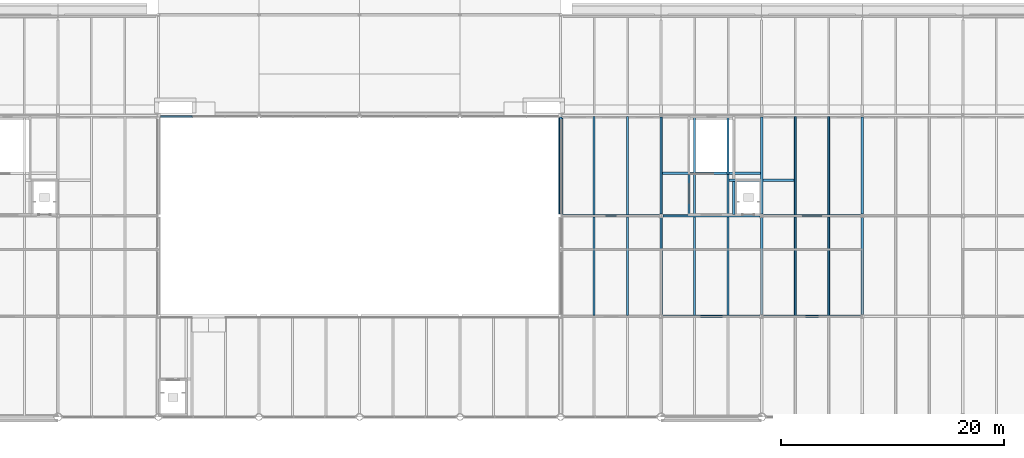
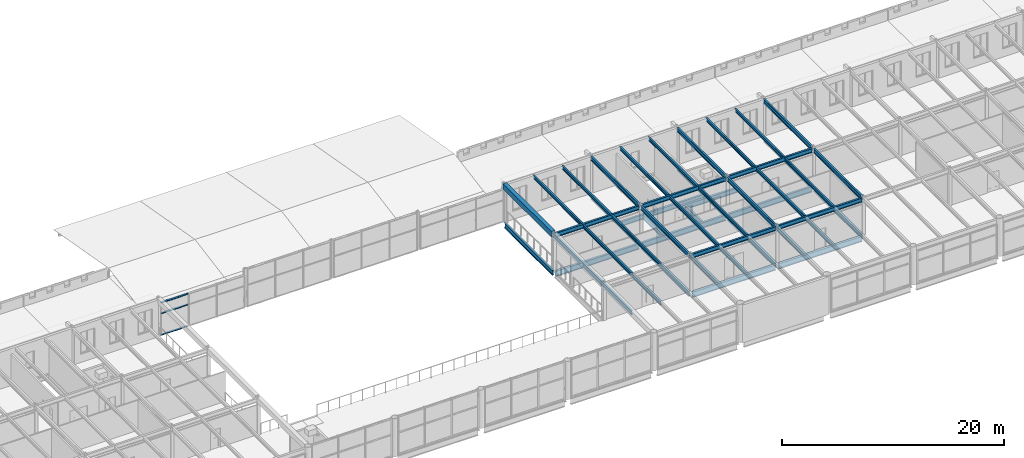
# One storey, part 43 of 123: 53 beams, 3 members, 1 element without a shape of its own.
"""IFC4 building model written with IfcOpenShell, lengths in metres."""

from ifc_helpers import new_model, si_unit, direction, frame, origin, origin_2d, place, context, subcontext, project, spatial, rectangle, hollow_rectangle, i_section, extrude, material, material_profile, profile_set, type_object, element, aggregate, save


model = new_model("IFC4")

# Units and contexts
model_context = context("Model", 3, precision=1e-05, world=origin(), true_north=direction((0.0, 1.0)))
body_context = subcontext(model_context, "Body", "Model", "MODEL_VIEW")
ifc_project = project(units=[si_unit("LENGTHUNIT", "METRE"), si_unit("AREAUNIT", "SQUARE_METRE"), si_unit("VOLUMEUNIT", "CUBIC_METRE"), si_unit("PLANEANGLEUNIT", "RADIAN"), si_unit("MASSUNIT", "GRAM", prefix="KILO")], contexts=[model_context])

# Site, building, storey
site_placement = place(None, origin())
site = spatial("IfcSite", under=ifc_project, at=site_placement, CompositionType="ELEMENT")
building_placement = place(site_placement, origin())
building = spatial("IfcBuilding", under=site, at=building_placement, Name="Baradari Gate Terminus", CompositionType="ELEMENT")
storey_placement = place(building_placement, frame((0.0, 0.0, 7.5)))
storey = spatial("IfcBuildingStorey", under=building, at=storey_placement, Name="L01", CompositionType="ELEMENT", Elevation=7.5)

# Curtain wall, members
ifc_material_1 = material(Name="Aluminium 6063-T6", Category="aluminium")
curtain_wall_type = type_object("IfcCurtainWallType", Name="Curtain wall CW-4 ticket hall clerestory", PredefinedType="NOTDEFINED", material=ifc_material_1)
curtain_wall_placement = place(storey_placement, origin())
curtain_wall = element("IfcCurtainWall", 1, at=curtain_wall_placement, inside=storey, type_object=curtain_wall_type, Name="Glazed curtain wall CW-4 HN bay 16 L01", PredefinedType="NOTDEFINED")
ifc_material_2 = material(Name="Aluminium 6063-T6", Category="aluminium")
ifc_material_profile_1 = material_profile(ifc_material_2, rectangle(XDim=0.135009765625, YDim=0.06494140625, at=origin_2d()), Name="CT-4 65X135")
ifc_profile_set_1 = profile_set([ifc_material_profile_1], Name="Aluminium 6063-T6")
member_type = type_object("IfcMemberType", Name="Curtain wall transom CT-4 65x135", PredefinedType="USERDEFINED", material=ifc_profile_set_1)
member_1_placement = place(storey_placement, frame((135.193115234375, 107.87841796875, 0.032470703125), z_axis=(1.0, 0.0, 0.0), x_axis=(0.0, 1.0, 0.0)))
member_1 = element("IfcMember", 2, at=member_1_placement, type_object=member_type, Name="CW-4 transom 1.1", ObjectType="TRANSOM", PredefinedType="USERDEFINED", context=body_context, shape_type="SweptSolid", body=[
    extrude(rectangle(XDim=0.135009765625, YDim=0.06494140625, at=origin_2d()), origin(), (0.0, 0.0, 1.0), 2.817138671875),
])
member_2_placement = place(storey_placement, frame((135.193115234375, 107.87841796875, 2.39990234375), z_axis=(1.0, 0.0, 0.0), x_axis=(0.0, 1.0, 0.0)))
member_2 = element("IfcMember", 3, at=member_2_placement, type_object=member_type, Name="CW-4 transom 1.2", ObjectType="TRANSOM", PredefinedType="USERDEFINED", context=body_context, shape_type="SweptSolid", body=[
    extrude(rectangle(XDim=0.135009765625, YDim=0.06494140625, at=origin_2d()), origin(), (0.0, 0.0, 1.0), 2.817138671875),
])
member_3_placement = place(storey_placement, frame((135.193115234375, 107.87841796875, 3.5673828125), z_axis=(1.0, 0.0, 0.0), x_axis=(0.0, 1.0, 0.0)))
member_3 = element("IfcMember", 4, at=member_3_placement, type_object=member_type, Name="CW-4 transom 1.3", ObjectType="TRANSOM", PredefinedType="USERDEFINED", context=body_context, shape_type="SweptSolid", body=[
    extrude(rectangle(XDim=0.135009765625, YDim=0.06494140625, at=origin_2d()), origin(), (0.0, 0.0, 1.0), 2.817138671875),
])
aggregate(curtain_wall, [member_1, member_2, member_3])

# Beams
ifc_material_3 = material(Name="Steel S355", Category="steel")
ifc_material_profile_2 = material_profile(ifc_material_3, i_section(OverallWidth=0.210693359375, OverallDepth=0.53955078125, WebThickness=0.01171875, FlangeThickness=0.018798828125, FilletRadius=0.0126953125, at=origin_2d()), Name="UB 533x210x109")
ifc_profile_set_2 = profile_set([ifc_material_profile_2], Name="Steel S355")
beam_type_1 = type_object("IfcBeamType", Name="Head-house cross girder B12 UB 533x210x109", PredefinedType="BEAM", material=ifc_profile_set_2)
beam_1_placement = place(storey_placement, frame((171.0, 99.1572265625, -0.399658203125), z_axis=(0.0, 1.0, 0.0), x_axis=(-1.0, 0.0, 0.0)))
element("IfcBeam", 5, at=beam_1_placement, inside=storey, type_object=beam_type_1, Name="Head-house cross girder B12 20:99.157-107.87 L01", PredefinedType="BEAM", context=body_context, shape_type="SweptSolid", body=[
    extrude(i_section(OverallWidth=0.210693359375, OverallDepth=0.53955078125, WebThickness=0.01171875, FlangeThickness=0.018798828125, FilletRadius=0.0126953125, at=origin_2d()), origin(), (0.0, 0.0, 1.0), 8.712646484375),
])
beam_2_placement = place(storey_placement, frame((180.0, 90.1572265625, -0.399658203125), z_axis=(0.0, 1.0, 0.0), x_axis=(-1.0, 0.0, 0.0)))
element("IfcBeam", 6, at=beam_2_placement, inside=storey, type_object=beam_type_1, Name="Head-house cross girder B12 21:90.157-98.843 L01", PredefinedType="BEAM", context=body_context, shape_type="SweptSolid", body=[
    extrude(i_section(OverallWidth=0.210693359375, OverallDepth=0.53955078125, WebThickness=0.01171875, FlangeThickness=0.018798828125, FilletRadius=0.0126953125, at=origin_2d()), origin(), (0.0, 0.0, 1.0), 8.685546875),
])
beam_3_placement = place(storey_placement, frame((180.0, 99.1572265625, -0.399658203125), z_axis=(0.0, 1.0, 0.0), x_axis=(-1.0, 0.0, 0.0)))
element("IfcBeam", 7, at=beam_3_placement, inside=storey, type_object=beam_type_1, Name="Head-house cross girder B12 21:99.157-107.87 L01", PredefinedType="BEAM", context=body_context, shape_type="SweptSolid", body=[
    extrude(i_section(OverallWidth=0.210693359375, OverallDepth=0.53955078125, WebThickness=0.01171875, FlangeThickness=0.018798828125, FilletRadius=0.0126953125, at=origin_2d()), origin(), (0.0, 0.0, 1.0), 8.712646484375),
])
beam_4_placement = place(storey_placement, frame((189.0, 90.1572265625, -0.399658203125), z_axis=(0.0, 1.0, 0.0), x_axis=(-1.0, 0.0, 0.0)))
element("IfcBeam", 8, at=beam_4_placement, inside=storey, type_object=beam_type_1, Name="Head-house cross girder B12 22:90.157-98.843 L01", PredefinedType="BEAM", context=body_context, shape_type="SweptSolid", body=[
    extrude(i_section(OverallWidth=0.210693359375, OverallDepth=0.53955078125, WebThickness=0.01171875, FlangeThickness=0.018798828125, FilletRadius=0.0126953125, at=origin_2d()), origin(), (0.0, 0.0, 1.0), 8.685546875),
])
beam_5_placement = place(storey_placement, frame((189.0, 99.1572265625, -0.399658203125), z_axis=(0.0, 1.0, 0.0), x_axis=(-1.0, 0.0, 0.0)))
element("IfcBeam", 9, at=beam_5_placement, inside=storey, type_object=beam_type_1, Name="Head-house cross girder B12 22:99.157-107.87 L01", PredefinedType="BEAM", context=body_context, shape_type="SweptSolid", body=[
    extrude(i_section(OverallWidth=0.210693359375, OverallDepth=0.53955078125, WebThickness=0.01171875, FlangeThickness=0.018798828125, FilletRadius=0.0126953125, at=origin_2d()), origin(), (0.0, 0.0, 1.0), 8.712646484375),
])
beam_6_placement = place(storey_placement, frame((198.0, 90.1572265625, -0.399658203125), z_axis=(0.0, 1.0, 0.0), x_axis=(-1.0, 0.0, 0.0)))
element("IfcBeam", 10, at=beam_6_placement, inside=storey, type_object=beam_type_1, Name="Head-house cross girder B12 23:90.157-98.843 L01", PredefinedType="BEAM", context=body_context, shape_type="SweptSolid", body=[
    extrude(i_section(OverallWidth=0.210693359375, OverallDepth=0.53955078125, WebThickness=0.01171875, FlangeThickness=0.018798828125, FilletRadius=0.0126953125, at=origin_2d()), origin(), (0.0, 0.0, 1.0), 8.685546875),
])
beam_7_placement = place(storey_placement, frame((198.0, 99.1572265625, -0.399658203125), z_axis=(0.0, 1.0, 0.0), x_axis=(-1.0, 0.0, 0.0)))
element("IfcBeam", 11, at=beam_7_placement, inside=storey, type_object=beam_type_1, Name="Head-house cross girder B12 23:99.157-107.87 L01", PredefinedType="BEAM", context=body_context, shape_type="SweptSolid", body=[
    extrude(i_section(OverallWidth=0.210693359375, OverallDepth=0.53955078125, WebThickness=0.01171875, FlangeThickness=0.018798828125, FilletRadius=0.0126953125, at=origin_2d()), origin(), (0.0, 0.0, 1.0), 8.712646484375),
])
ifc_material_4 = material(Name="Steel S355", Category="steel")
ifc_material_profile_3 = material_profile(ifc_material_4, i_section(OverallWidth=0.22900390625, OverallDepth=0.6123046875, WebThickness=0.011962890625, FlangeThickness=0.01953125, FilletRadius=0.0126953125, at=origin_2d()), Name="UB 610x229x125")
ifc_profile_set_3 = profile_set([ifc_material_profile_3], Name="Steel S355")
beam_type_2 = type_object("IfcBeamType", Name="Head-house girder B09 UB 610x229x125", PredefinedType="BEAM", material=ifc_profile_set_3)
for number, where, z_axis, x_axis, name in (
    (12, (180.15380859375, 90.0, -0.43603515625), (1.0, 0.0, 0.0), (0.0, 1.0, 0.0), "Head-house girder B09 L:180.154-188.846 L01"),
    (13, (189.15380859375, 90.0, -0.43603515625), (1.0, 0.0, 0.0), (0.0, 1.0, 0.0), "Head-house girder B09 L:189.154-197.846 L01"),
    (14, (171.15380859375, 99.0, -0.43603515625), (1.0, 0.0, 0.0), (0.0, 1.0, 0.0), "Head-house girder B09 M:171.154-179.846 L01"),
    (15, (180.15380859375, 99.0, -0.43603515625), (1.0, 0.0, 0.0), (0.0, 1.0, 0.0), "Head-house girder B09 M:180.154-188.846 L01"),
    (16, (189.15380859375, 99.0, -0.43603515625), (1.0, 0.0, 0.0), (0.0, 1.0, 0.0), "Head-house girder B09 M:189.154-197.846 L01"),
):
    element("IfcBeam", number, at=place(storey_placement, frame(where, z_axis=z_axis, x_axis=x_axis)), inside=storey, type_object=beam_type_2, Name=name, PredefinedType="BEAM", context=body_context, shape_type="SweptSolid", body=[
        extrude(i_section(OverallWidth=0.22900390625, OverallDepth=0.6123046875, WebThickness=0.011962890625, FlangeThickness=0.01953125, FilletRadius=0.0126953125, at=origin_2d()), origin(), (0.0, 0.0, 1.0), 8.6923828125),
    ])
ifc_material_5 = material(Name="Steel S355", Category="steel")
ifc_material_profile_4 = material_profile(ifc_material_5, i_section(OverallWidth=0.1904296875, OverallDepth=0.45703125, WebThickness=0.009033203125, FlangeThickness=0.014404296875, FilletRadius=0.01025390625, at=origin_2d()), Name="UB 457x191x74")
ifc_profile_set_4 = profile_set([ifc_material_profile_4], Name="Steel S355")
beam_type_3 = type_object("IfcBeamType", Name="Head-house roof cross girder B51 UB 457x191x74", PredefinedType="BEAM", material=ifc_profile_set_4)
beam_8_placement = place(storey_placement, frame((180.0, 90.1572265625, 3.821533203125), z_axis=(0.0, 1.0, 0.0), x_axis=(-1.0, 0.0, 0.0)))
element("IfcBeam", 17, at=beam_8_placement, inside=storey, type_object=beam_type_3, Name="Head-house roof cross girder B51 21:90.157-98.843 L01", PredefinedType="BEAM", context=body_context, shape_type="SweptSolid", body=[
    extrude(i_section(OverallWidth=0.1904296875, OverallDepth=0.45703125, WebThickness=0.009033203125, FlangeThickness=0.014404296875, FilletRadius=0.01025390625, at=origin_2d()), origin(), (0.0, 0.0, 1.0), 8.685546875),
])
beam_9_placement = place(storey_placement, frame((180.0, 99.1572265625, 3.821533203125), z_axis=(0.0, 1.0, 0.0), x_axis=(-1.0, 0.0, 0.0)))
element("IfcBeam", 18, at=beam_9_placement, inside=storey, type_object=beam_type_3, Name="Head-house roof cross girder B51 21:99.157-107.87 L01", PredefinedType="BEAM", context=body_context, shape_type="SweptSolid", body=[
    extrude(i_section(OverallWidth=0.1904296875, OverallDepth=0.45703125, WebThickness=0.009033203125, FlangeThickness=0.014404296875, FilletRadius=0.01025390625, at=origin_2d()), origin(), (0.0, 0.0, 1.0), 8.712646484375),
])
beam_10_placement = place(storey_placement, frame((189.0, 90.1572265625, 3.821533203125), z_axis=(0.0, 1.0, 0.0), x_axis=(-1.0, 0.0, 0.0)))
element("IfcBeam", 19, at=beam_10_placement, inside=storey, type_object=beam_type_3, Name="Head-house roof cross girder B51 22:90.157-98.843 L01", PredefinedType="BEAM", context=body_context, shape_type="SweptSolid", body=[
    extrude(i_section(OverallWidth=0.1904296875, OverallDepth=0.45703125, WebThickness=0.009033203125, FlangeThickness=0.014404296875, FilletRadius=0.01025390625, at=origin_2d()), origin(), (0.0, 0.0, 1.0), 8.685546875),
])
beam_11_placement = place(storey_placement, frame((189.0, 99.1572265625, 3.821533203125), z_axis=(0.0, 1.0, 0.0), x_axis=(-1.0, 0.0, 0.0)))
element("IfcBeam", 20, at=beam_11_placement, inside=storey, type_object=beam_type_3, Name="Head-house roof cross girder B51 22:99.157-107.87 L01", PredefinedType="BEAM", context=body_context, shape_type="SweptSolid", body=[
    extrude(i_section(OverallWidth=0.1904296875, OverallDepth=0.45703125, WebThickness=0.009033203125, FlangeThickness=0.014404296875, FilletRadius=0.01025390625, at=origin_2d()), origin(), (0.0, 0.0, 1.0), 8.712646484375),
])
beam_12_placement = place(storey_placement, frame((198.0, 90.1572265625, 3.821533203125), z_axis=(0.0, 1.0, 0.0), x_axis=(-1.0, 0.0, 0.0)))
element("IfcBeam", 21, at=beam_12_placement, inside=storey, type_object=beam_type_3, Name="Head-house roof cross girder B51 23:90.157-98.843 L01", PredefinedType="BEAM", context=body_context, shape_type="SweptSolid", body=[
    extrude(i_section(OverallWidth=0.1904296875, OverallDepth=0.45703125, WebThickness=0.009033203125, FlangeThickness=0.014404296875, FilletRadius=0.01025390625, at=origin_2d()), origin(), (0.0, 0.0, 1.0), 8.685546875),
])
beam_13_placement = place(storey_placement, frame((198.0, 99.1572265625, 3.821533203125), z_axis=(0.0, 1.0, 0.0), x_axis=(-1.0, 0.0, 0.0)))
element("IfcBeam", 22, at=beam_13_placement, inside=storey, type_object=beam_type_3, Name="Head-house roof cross girder B51 23:99.157-107.87 L01", PredefinedType="BEAM", context=body_context, shape_type="SweptSolid", body=[
    extrude(i_section(OverallWidth=0.1904296875, OverallDepth=0.45703125, WebThickness=0.009033203125, FlangeThickness=0.014404296875, FilletRadius=0.01025390625, at=origin_2d()), origin(), (0.0, 0.0, 1.0), 8.712646484375),
])
ifc_material_6 = material(Name="Steel S355", Category="steel")
ifc_material_profile_5 = material_profile(ifc_material_6, i_section(OverallWidth=0.19140625, OverallDepth=0.4599609375, WebThickness=0.010009765625, FlangeThickness=0.01611328125, FilletRadius=0.01025390625, at=origin_2d()), Name="UB 457x191x82")
ifc_profile_set_5 = profile_set([ifc_material_profile_5], Name="Steel S355")
beam_type_4 = type_object("IfcBeamType", Name="Head-house roof girder B49 UB 457x191x82", PredefinedType="BEAM", material=ifc_profile_set_5)
for number, where, z_axis, x_axis, name in (
    (23, (180.15380859375, 90.0, 3.820068359375), (1.0, 0.0, 0.0), (0.0, 1.0, 0.0), "Head-house roof girder B49 L:180.154-188.846 L01"),
    (24, (189.15380859375, 90.0, 3.820068359375), (1.0, 0.0, 0.0), (0.0, 1.0, 0.0), "Head-house roof girder B49 L:189.154-197.846 L01"),
    (25, (171.15380859375, 99.0, 3.820068359375), (1.0, 0.0, 0.0), (0.0, 1.0, 0.0), "Head-house roof girder B49 M:171.154-179.846 L01"),
    (26, (180.15380859375, 99.0, 3.820068359375), (1.0, 0.0, 0.0), (0.0, 1.0, 0.0), "Head-house roof girder B49 M:180.154-188.846 L01"),
    (27, (189.15380859375, 99.0, 3.820068359375), (1.0, 0.0, 0.0), (0.0, 1.0, 0.0), "Head-house roof girder B49 M:189.154-197.846 L01"),
):
    element("IfcBeam", number, at=place(storey_placement, frame(where, z_axis=z_axis, x_axis=x_axis)), inside=storey, type_object=beam_type_4, Name=name, PredefinedType="BEAM", context=body_context, shape_type="SweptSolid", body=[
        extrude(i_section(OverallWidth=0.19140625, OverallDepth=0.4599609375, WebThickness=0.010009765625, FlangeThickness=0.01611328125, FilletRadius=0.01025390625, at=origin_2d()), origin(), (0.0, 0.0, 1.0), 8.6923828125),
    ])
ifc_material_7 = material(Name="Steel S355", Category="steel")
ifc_material_profile_6 = material_profile(ifc_material_7, i_section(OverallWidth=0.17138671875, OverallDepth=0.35498046875, WebThickness=0.00732421875, FlangeThickness=0.011474609375, FilletRadius=0.01025390625, at=origin_2d()), Name="UB 356x171x51")
ifc_profile_set_6 = profile_set([ifc_material_profile_6], Name="Steel S355")
beam_type_5 = type_object("IfcBeamType", Name="Head-house roof secondary beam B50 UB 356x171x51", PredefinedType="BEAM", material=ifc_profile_set_6)
beam_14_placement = place(storey_placement, frame((174.0, 90.095703125, 3.87255859375), z_axis=(0.0, 1.0, 0.0), x_axis=(-1.0, 0.0, 0.0)))
element("IfcBeam", 28, at=beam_14_placement, inside=storey, type_object=beam_type_5, Name="Head-house roof secondary beam B50 174:90.096-98.904 L01", PredefinedType="BEAM", context=body_context, shape_type="SweptSolid", body=[
    extrude(i_section(OverallWidth=0.17138671875, OverallDepth=0.35498046875, WebThickness=0.00732421875, FlangeThickness=0.011474609375, FilletRadius=0.01025390625, at=origin_2d()), origin(), (0.0, 0.0, 1.0), 8.80859375),
])
beam_15_placement = place(storey_placement, frame((174.0, 99.095703125, 3.87255859375), z_axis=(0.0, 1.0, 0.0), x_axis=(-1.0, 0.0, 0.0)))
element("IfcBeam", 29, at=beam_15_placement, inside=storey, type_object=beam_type_5, Name="Head-house roof secondary beam B50 174:99.096-107.895 L01", PredefinedType="BEAM", context=body_context, shape_type="SweptSolid", body=[
    extrude(i_section(OverallWidth=0.17138671875, OverallDepth=0.35498046875, WebThickness=0.00732421875, FlangeThickness=0.011474609375, FilletRadius=0.01025390625, at=origin_2d()), origin(), (0.0, 0.0, 1.0), 8.799560546875),
])
beam_16_placement = place(storey_placement, frame((177.0, 90.095703125, 3.87255859375), z_axis=(0.0, 1.0, 0.0), x_axis=(-1.0, 0.0, 0.0)))
element("IfcBeam", 30, at=beam_16_placement, inside=storey, type_object=beam_type_5, Name="Head-house roof secondary beam B50 177:90.096-98.904 L01", PredefinedType="BEAM", context=body_context, shape_type="SweptSolid", body=[
    extrude(i_section(OverallWidth=0.17138671875, OverallDepth=0.35498046875, WebThickness=0.00732421875, FlangeThickness=0.011474609375, FilletRadius=0.01025390625, at=origin_2d()), origin(), (0.0, 0.0, 1.0), 8.80859375),
])
beam_17_placement = place(storey_placement, frame((177.0, 99.095703125, 3.87255859375), z_axis=(0.0, 1.0, 0.0), x_axis=(-1.0, 0.0, 0.0)))
element("IfcBeam", 31, at=beam_17_placement, inside=storey, type_object=beam_type_5, Name="Head-house roof secondary beam B50 177:99.096-107.895 L01", PredefinedType="BEAM", context=body_context, shape_type="SweptSolid", body=[
    extrude(i_section(OverallWidth=0.17138671875, OverallDepth=0.35498046875, WebThickness=0.00732421875, FlangeThickness=0.011474609375, FilletRadius=0.01025390625, at=origin_2d()), origin(), (0.0, 0.0, 1.0), 8.799560546875),
])
beam_18_placement = place(storey_placement, frame((183.0, 90.095703125, 3.87255859375), z_axis=(0.0, 1.0, 0.0), x_axis=(-1.0, 0.0, 0.0)))
element("IfcBeam", 32, at=beam_18_placement, inside=storey, type_object=beam_type_5, Name="Head-house roof secondary beam B50 183:90.096-98.904 L01", PredefinedType="BEAM", context=body_context, shape_type="SweptSolid", body=[
    extrude(i_section(OverallWidth=0.17138671875, OverallDepth=0.35498046875, WebThickness=0.00732421875, FlangeThickness=0.011474609375, FilletRadius=0.01025390625, at=origin_2d()), origin(), (0.0, 0.0, 1.0), 8.80859375),
])
beam_19_placement = place(storey_placement, frame((183.0, 99.095703125, 3.87255859375), z_axis=(0.0, 1.0, 0.0), x_axis=(-1.0, 0.0, 0.0)))
element("IfcBeam", 33, at=beam_19_placement, inside=storey, type_object=beam_type_5, Name="Head-house roof secondary beam B50 183:99.096-107.895 L01", PredefinedType="BEAM", context=body_context, shape_type="SweptSolid", body=[
    extrude(i_section(OverallWidth=0.17138671875, OverallDepth=0.35498046875, WebThickness=0.00732421875, FlangeThickness=0.011474609375, FilletRadius=0.01025390625, at=origin_2d()), origin(), (0.0, 0.0, 1.0), 8.799560546875),
])
beam_20_placement = place(storey_placement, frame((186.0, 90.095703125, 3.87255859375), z_axis=(0.0, 1.0, 0.0), x_axis=(-1.0, 0.0, 0.0)))
element("IfcBeam", 34, at=beam_20_placement, inside=storey, type_object=beam_type_5, Name="Head-house roof secondary beam B50 186:90.096-98.904 L01", PredefinedType="BEAM", context=body_context, shape_type="SweptSolid", body=[
    extrude(i_section(OverallWidth=0.17138671875, OverallDepth=0.35498046875, WebThickness=0.00732421875, FlangeThickness=0.011474609375, FilletRadius=0.01025390625, at=origin_2d()), origin(), (0.0, 0.0, 1.0), 8.80859375),
])
beam_21_placement = place(storey_placement, frame((186.0, 99.095703125, 3.87255859375), z_axis=(0.0, 1.0, 0.0), x_axis=(-1.0, 0.0, 0.0)))
element("IfcBeam", 35, at=beam_21_placement, inside=storey, type_object=beam_type_5, Name="Head-house roof secondary beam B50 186:99.096-107.895 L01", PredefinedType="BEAM", context=body_context, shape_type="SweptSolid", body=[
    extrude(i_section(OverallWidth=0.17138671875, OverallDepth=0.35498046875, WebThickness=0.00732421875, FlangeThickness=0.011474609375, FilletRadius=0.01025390625, at=origin_2d()), origin(), (0.0, 0.0, 1.0), 8.799560546875),
])
beam_22_placement = place(storey_placement, frame((192.0, 90.095703125, 3.87255859375), z_axis=(0.0, 1.0, 0.0), x_axis=(-1.0, 0.0, 0.0)))
element("IfcBeam", 36, at=beam_22_placement, inside=storey, type_object=beam_type_5, Name="Head-house roof secondary beam B50 192:90.096-98.904 L01", PredefinedType="BEAM", context=body_context, shape_type="SweptSolid", body=[
    extrude(i_section(OverallWidth=0.17138671875, OverallDepth=0.35498046875, WebThickness=0.00732421875, FlangeThickness=0.011474609375, FilletRadius=0.01025390625, at=origin_2d()), origin(), (0.0, 0.0, 1.0), 8.80859375),
])
beam_23_placement = place(storey_placement, frame((192.0, 99.095703125, 3.87255859375), z_axis=(0.0, 1.0, 0.0), x_axis=(-1.0, 0.0, 0.0)))
element("IfcBeam", 37, at=beam_23_placement, inside=storey, type_object=beam_type_5, Name="Head-house roof secondary beam B50 192:99.096-107.895 L01", PredefinedType="BEAM", context=body_context, shape_type="SweptSolid", body=[
    extrude(i_section(OverallWidth=0.17138671875, OverallDepth=0.35498046875, WebThickness=0.00732421875, FlangeThickness=0.011474609375, FilletRadius=0.01025390625, at=origin_2d()), origin(), (0.0, 0.0, 1.0), 8.799560546875),
])
beam_24_placement = place(storey_placement, frame((195.0, 90.095703125, 3.87255859375), z_axis=(0.0, 1.0, 0.0), x_axis=(-1.0, 0.0, 0.0)))
element("IfcBeam", 38, at=beam_24_placement, inside=storey, type_object=beam_type_5, Name="Head-house roof secondary beam B50 195:90.096-98.904 L01", PredefinedType="BEAM", context=body_context, shape_type="SweptSolid", body=[
    extrude(i_section(OverallWidth=0.17138671875, OverallDepth=0.35498046875, WebThickness=0.00732421875, FlangeThickness=0.011474609375, FilletRadius=0.01025390625, at=origin_2d()), origin(), (0.0, 0.0, 1.0), 8.80859375),
])
beam_25_placement = place(storey_placement, frame((195.0, 99.095703125, 3.87255859375), z_axis=(0.0, 1.0, 0.0), x_axis=(-1.0, 0.0, 0.0)))
element("IfcBeam", 39, at=beam_25_placement, inside=storey, type_object=beam_type_5, Name="Head-house roof secondary beam B50 195:99.096-107.895 L01", PredefinedType="BEAM", context=body_context, shape_type="SweptSolid", body=[
    extrude(i_section(OverallWidth=0.17138671875, OverallDepth=0.35498046875, WebThickness=0.00732421875, FlangeThickness=0.011474609375, FilletRadius=0.01025390625, at=origin_2d()), origin(), (0.0, 0.0, 1.0), 8.799560546875),
])
ifc_material_8 = material(Name="Steel S355", Category="steel")
ifc_material_profile_7 = material_profile(ifc_material_8, i_section(OverallWidth=0.18994140625, OverallDepth=0.453369140625, WebThickness=0.008544921875, FlangeThickness=0.0126953125, FilletRadius=0.01025390625, at=origin_2d()), Name="UB 457x191x67")
ifc_profile_set_7 = profile_set([ifc_material_profile_7], Name="Steel S355")
beam_type_6 = type_object("IfcBeamType", Name="Head-house secondary beam B11 UB 457x191x67", PredefinedType="BEAM", material=ifc_profile_set_7)
beam_26_placement = place(storey_placement, frame((174.0, 90.114501953125, -0.356689453125), z_axis=(0.0, 1.0, 0.0), x_axis=(-1.0, 0.0, 0.0)))
element("IfcBeam", 40, at=beam_26_placement, inside=storey, type_object=beam_type_6, Name="Head-house secondary beam B11 174:90.115-98.885 L01", PredefinedType="BEAM", context=body_context, shape_type="SweptSolid", body=[
    extrude(i_section(OverallWidth=0.18994140625, OverallDepth=0.453369140625, WebThickness=0.008544921875, FlangeThickness=0.0126953125, FilletRadius=0.01025390625, at=origin_2d()), origin(), (0.0, 0.0, 1.0), 8.77099609375),
])
beam_27_placement = place(storey_placement, frame((174.0, 99.114501953125, -0.356689453125), z_axis=(0.0, 1.0, 0.0), x_axis=(-1.0, 0.0, 0.0)))
element("IfcBeam", 41, at=beam_27_placement, inside=storey, type_object=beam_type_6, Name="Head-house secondary beam B11 174:99.115-107.874 L01", PredefinedType="BEAM", context=body_context, shape_type="SweptSolid", body=[
    extrude(i_section(OverallWidth=0.18994140625, OverallDepth=0.453369140625, WebThickness=0.008544921875, FlangeThickness=0.0126953125, FilletRadius=0.01025390625, at=origin_2d()), origin(), (0.0, 0.0, 1.0), 8.759033203125),
])
beam_28_placement = place(storey_placement, frame((177.0, 90.114501953125, -0.356689453125), z_axis=(0.0, 1.0, 0.0), x_axis=(-1.0, 0.0, 0.0)))
element("IfcBeam", 42, at=beam_28_placement, inside=storey, type_object=beam_type_6, Name="Head-house secondary beam B11 177:90.115-98.885 L01", PredefinedType="BEAM", context=body_context, shape_type="SweptSolid", body=[
    extrude(i_section(OverallWidth=0.18994140625, OverallDepth=0.453369140625, WebThickness=0.008544921875, FlangeThickness=0.0126953125, FilletRadius=0.01025390625, at=origin_2d()), origin(), (0.0, 0.0, 1.0), 8.77099609375),
])
beam_29_placement = place(storey_placement, frame((177.0, 99.114501953125, -0.356689453125), z_axis=(0.0, 1.0, 0.0), x_axis=(-1.0, 0.0, 0.0)))
element("IfcBeam", 43, at=beam_29_placement, inside=storey, type_object=beam_type_6, Name="Head-house secondary beam B11 177:99.115-107.874 L01", PredefinedType="BEAM", context=body_context, shape_type="SweptSolid", body=[
    extrude(i_section(OverallWidth=0.18994140625, OverallDepth=0.453369140625, WebThickness=0.008544921875, FlangeThickness=0.0126953125, FilletRadius=0.01025390625, at=origin_2d()), origin(), (0.0, 0.0, 1.0), 8.759033203125),
])
beam_30_placement = place(storey_placement, frame((183.0, 90.114501953125, -0.356689453125), z_axis=(0.0, 1.0, 0.0), x_axis=(-1.0, 0.0, 0.0)))
element("IfcBeam", 44, at=beam_30_placement, inside=storey, type_object=beam_type_6, Name="Head-house secondary beam B11 183:90.115-98.885 L01", PredefinedType="BEAM", context=body_context, shape_type="SweptSolid", body=[
    extrude(i_section(OverallWidth=0.18994140625, OverallDepth=0.453369140625, WebThickness=0.008544921875, FlangeThickness=0.0126953125, FilletRadius=0.01025390625, at=origin_2d()), origin(), (0.0, 0.0, 1.0), 8.77099609375),
])
beam_31_placement = place(storey_placement, frame((183.0, 99.114501953125, -0.356689453125), z_axis=(0.0, 1.0, 0.0), x_axis=(-1.0, 0.0, 0.0)))
element("IfcBeam", 45, at=beam_31_placement, inside=storey, type_object=beam_type_6, Name="Head-house secondary beam B11 183:99.115-102.695 L01", PredefinedType="BEAM", context=body_context, shape_type="SweptSolid", body=[
    extrude(i_section(OverallWidth=0.18994140625, OverallDepth=0.453369140625, WebThickness=0.008544921875, FlangeThickness=0.0126953125, FilletRadius=0.01025390625, at=origin_2d()), origin(), (0.0, 0.0, 1.0), 3.580810546875),
])
beam_32_placement = place(storey_placement, frame((186.0, 90.114501953125, -0.356689453125), z_axis=(0.0, 1.0, 0.0), x_axis=(-1.0, 0.0, 0.0)))
element("IfcBeam", 46, at=beam_32_placement, inside=storey, type_object=beam_type_6, Name="Head-house secondary beam B11 186:90.115-98.885 L01", PredefinedType="BEAM", context=body_context, shape_type="SweptSolid", body=[
    extrude(i_section(OverallWidth=0.18994140625, OverallDepth=0.453369140625, WebThickness=0.008544921875, FlangeThickness=0.0126953125, FilletRadius=0.01025390625, at=origin_2d()), origin(), (0.0, 0.0, 1.0), 8.77099609375),
])
beam_33_placement = place(storey_placement, frame((186.0, 99.114501953125, -0.356689453125), z_axis=(0.0, 1.0, 0.0), x_axis=(-1.0, 0.0, 0.0)))
element("IfcBeam", 47, at=beam_33_placement, inside=storey, type_object=beam_type_6, Name="Head-house secondary beam B11 186:99.115-102.695 L01", PredefinedType="BEAM", context=body_context, shape_type="SweptSolid", body=[
    extrude(i_section(OverallWidth=0.18994140625, OverallDepth=0.453369140625, WebThickness=0.008544921875, FlangeThickness=0.0126953125, FilletRadius=0.01025390625, at=origin_2d()), origin(), (0.0, 0.0, 1.0), 3.580810546875),
])
beam_34_placement = place(storey_placement, frame((192.0, 90.114501953125, -0.356689453125), z_axis=(0.0, 1.0, 0.0), x_axis=(-1.0, 0.0, 0.0)))
element("IfcBeam", 48, at=beam_34_placement, inside=storey, type_object=beam_type_6, Name="Head-house secondary beam B11 192:90.115-98.885 L01", PredefinedType="BEAM", context=body_context, shape_type="SweptSolid", body=[
    extrude(i_section(OverallWidth=0.18994140625, OverallDepth=0.453369140625, WebThickness=0.008544921875, FlangeThickness=0.0126953125, FilletRadius=0.01025390625, at=origin_2d()), origin(), (0.0, 0.0, 1.0), 8.77099609375),
])
beam_35_placement = place(storey_placement, frame((192.0, 99.114501953125, -0.356689453125), z_axis=(0.0, 1.0, 0.0), x_axis=(-1.0, 0.0, 0.0)))
element("IfcBeam", 49, at=beam_35_placement, inside=storey, type_object=beam_type_6, Name="Head-house secondary beam B11 192:99.115-107.874 L01", PredefinedType="BEAM", context=body_context, shape_type="SweptSolid", body=[
    extrude(i_section(OverallWidth=0.18994140625, OverallDepth=0.453369140625, WebThickness=0.008544921875, FlangeThickness=0.0126953125, FilletRadius=0.01025390625, at=origin_2d()), origin(), (0.0, 0.0, 1.0), 8.759033203125),
])
beam_36_placement = place(storey_placement, frame((195.0, 90.114501953125, -0.356689453125), z_axis=(0.0, 1.0, 0.0), x_axis=(-1.0, 0.0, 0.0)))
element("IfcBeam", 50, at=beam_36_placement, inside=storey, type_object=beam_type_6, Name="Head-house secondary beam B11 195:90.115-98.885 L01", PredefinedType="BEAM", context=body_context, shape_type="SweptSolid", body=[
    extrude(i_section(OverallWidth=0.18994140625, OverallDepth=0.453369140625, WebThickness=0.008544921875, FlangeThickness=0.0126953125, FilletRadius=0.01025390625, at=origin_2d()), origin(), (0.0, 0.0, 1.0), 8.77099609375),
])
beam_37_placement = place(storey_placement, frame((195.0, 99.114501953125, -0.356689453125), z_axis=(0.0, 1.0, 0.0), x_axis=(-1.0, 0.0, 0.0)))
element("IfcBeam", 51, at=beam_37_placement, inside=storey, type_object=beam_type_6, Name="Head-house secondary beam B11 195:99.115-107.874 L01", PredefinedType="BEAM", context=body_context, shape_type="SweptSolid", body=[
    extrude(i_section(OverallWidth=0.18994140625, OverallDepth=0.453369140625, WebThickness=0.008544921875, FlangeThickness=0.0126953125, FilletRadius=0.01025390625, at=origin_2d()), origin(), (0.0, 0.0, 1.0), 8.759033203125),
])
ifc_material_9 = material(Name="Steel S355", Category="steel")
ifc_material_profile_8 = material_profile(ifc_material_9, i_section(OverallWidth=0.209228515625, OverallDepth=0.533203125, WebThickness=0.010009765625, FlangeThickness=0.015625, FilletRadius=0.0126953125, at=origin_2d()), Name="UB 533x210x92")
ifc_profile_set_8 = profile_set([ifc_material_profile_8], Name="Steel S355")
beam_type_7 = type_object("IfcBeamType", Name="Head-house trimmer beam B08 UB 533x210x92", PredefinedType="BEAM", material=ifc_profile_set_8)
beam_38_placement = place(storey_placement, frame((180.10546875, 102.800048828125, -0.396484375), z_axis=(1.0, 0.0, 0.0), x_axis=(0.0, 1.0, 0.0)))
element("IfcBeam", 52, at=beam_38_placement, inside=storey, type_object=beam_type_7, Name="Head-house trimmer beam B08 102.8:180.105-188.895 L01", PredefinedType="BEAM", context=body_context, shape_type="SweptSolid", body=[
    extrude(i_section(OverallWidth=0.209228515625, OverallDepth=0.533203125, WebThickness=0.010009765625, FlangeThickness=0.015625, FilletRadius=0.0126953125, at=origin_2d()), origin(), (0.0, 0.0, 1.0), 8.7890625),
])
beam_39_placement = place(storey_placement, frame((186.5, 99.114501953125, -0.396484375), z_axis=(0.0, 1.0, 0.0), x_axis=(-1.0, 0.0, 0.0)))
element("IfcBeam", 53, at=beam_39_placement, inside=storey, type_object=beam_type_7, Name="Head-house trimmer beam B08 186.5:99.115-102.095 L01", PredefinedType="BEAM", context=body_context, shape_type="SweptSolid", body=[
    extrude(i_section(OverallWidth=0.209228515625, OverallDepth=0.533203125, WebThickness=0.010009765625, FlangeThickness=0.015625, FilletRadius=0.0126953125, at=origin_2d()), origin(), (0.0, 0.0, 1.0), 2.980712890625),
])
for number, where, z_axis, x_axis, name in (
    (54, (186.094970703125, 102.199951171875, -0.396484375), (1.0, 0.0, 0.0), (0.0, 1.0, 0.0), "Head-house trimmer beam B08 102.2:186.095-188.895 L01"),
    (55, (189.10546875, 102.199951171875, -0.396484375), (1.0, 0.0, 0.0), (0.0, 1.0, 0.0), "Head-house trimmer beam B08 102.2:189.105-191.905 L01"),
):
    element("IfcBeam", number, at=place(storey_placement, frame(where, z_axis=z_axis, x_axis=x_axis)), inside=storey, type_object=beam_type_7, Name=name, PredefinedType="BEAM", context=body_context, shape_type="SweptSolid", body=[
        extrude(i_section(OverallWidth=0.209228515625, OverallDepth=0.533203125, WebThickness=0.010009765625, FlangeThickness=0.015625, FilletRadius=0.0126953125, at=origin_2d()), origin(), (0.0, 0.0, 1.0), 2.799560546875),
    ])
beam_40_placement = place(storey_placement, frame((182.4951171875, 99.114501953125, -0.396484375), z_axis=(0.0, 1.0, 0.0), x_axis=(-1.0, 0.0, 0.0)))
element("IfcBeam", 56, at=beam_40_placement, inside=storey, type_object=beam_type_7, Name="Head-house trimmer beam B08 182.495:99.115-102.695 L01", PredefinedType="BEAM", context=body_context, shape_type="SweptSolid", body=[
    extrude(i_section(OverallWidth=0.209228515625, OverallDepth=0.533203125, WebThickness=0.010009765625, FlangeThickness=0.015625, FilletRadius=0.0126953125, at=origin_2d()), origin(), (0.0, 0.0, 1.0), 3.580810546875),
])
ifc_material_10 = material(Name="Steel S355", Category="steel")
ifc_material_profile_9 = material_profile(ifc_material_10, hollow_rectangle(XDim=0.39990234375, YDim=0.60009765625, WallThickness=0.02001953125, at=origin_2d()), Name="FB 400x600x20")
ifc_profile_set_9 = profile_set([ifc_material_profile_9], Name="Steel S355")
beam_type_8 = type_object("IfcBeamType", Name="Vault spring beam B67 FB 400x600x20", PredefinedType="BEAM", material=ifc_profile_set_9)
beam_41_placement = place(storey_placement, frame((171.0, 99.1572265625, 3.89990234375), z_axis=(0.0, 1.0, 0.0), x_axis=(-1.0, 0.0, 0.0)))
element("IfcBeam", 57, at=beam_41_placement, inside=storey, type_object=beam_type_8, Name="Vault spring beam B67 20:99.157-107.87 L01", PredefinedType="BEAM", context=body_context, shape_type="SweptSolid", body=[
    extrude(hollow_rectangle(XDim=0.39990234375, YDim=0.60009765625, WallThickness=0.02001953125, at=origin_2d()), origin(), (0.0, 0.0, 1.0), 8.712646484375),
])

save(model, "model.ifc")
